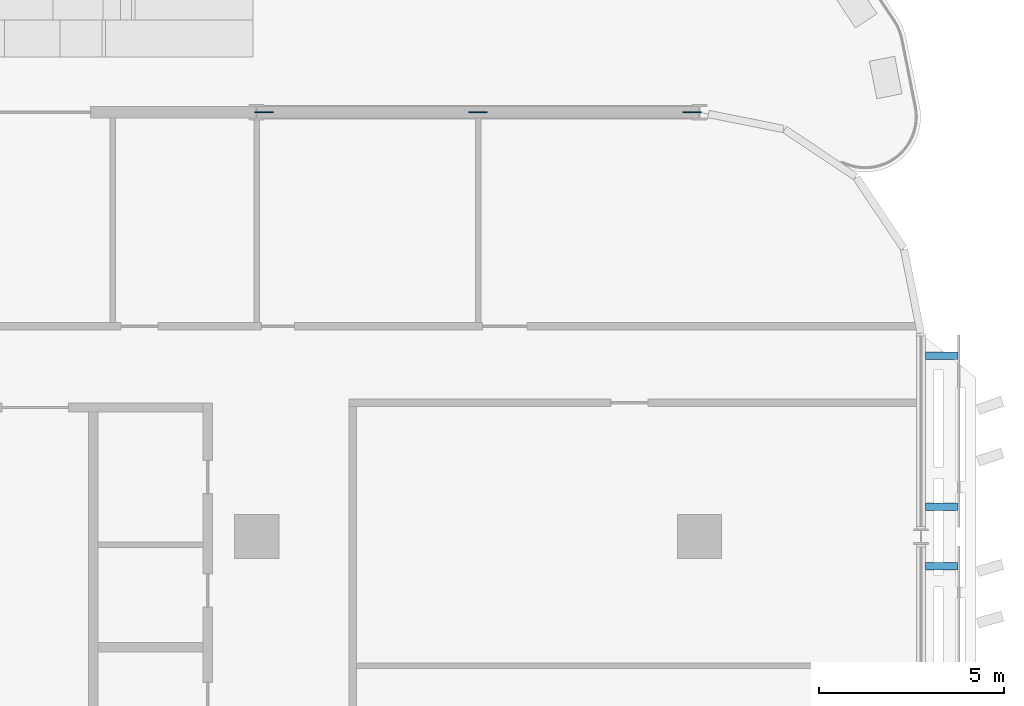
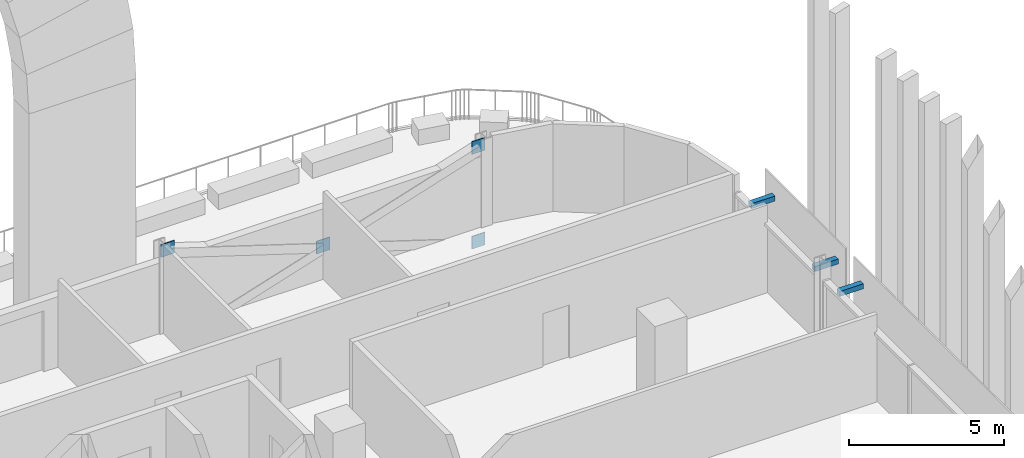
# One storey, part 21 of 30: 7 discrete accessories.
"""IFC4 building model written with IfcOpenShell, lengths in metres."""

from ifc_helpers import new_model, si_unit, direction, frame, origin, origin_2d, place, context, subcontext, project, spatial, rectangle, extrude, material, layer, layer_set, type_object, element, save


model = new_model("IFC4")

# Units and contexts
model_context = context("Model", 3, precision=1e-05, world=origin(), true_north=direction((0.0, 1.0)))
body_context = subcontext(model_context, "Body", "Model", "MODEL_VIEW")
ifc_project = project(units=[si_unit("LENGTHUNIT", "METRE"), si_unit("AREAUNIT", "SQUARE_METRE"), si_unit("VOLUMEUNIT", "CUBIC_METRE"), si_unit("PLANEANGLEUNIT", "RADIAN"), si_unit("MASSUNIT", "GRAM", prefix="KILO")], contexts=[model_context])

# Site, building, storey
site_placement = place(None, origin())
site = spatial("IfcSite", under=ifc_project, at=site_placement, CompositionType="ELEMENT")
building_placement = place(site_placement, origin())
building = spatial("IfcBuilding", under=site, at=building_placement, Name="Mahtab Terrace Research Tower", CompositionType="ELEMENT")
storey_placement = place(building_placement, frame((0.0, 0.0, 159.199951171875)))
storey = spatial("IfcBuildingStorey", under=building, at=storey_placement, Name="L37", CompositionType="ELEMENT", Elevation=159.199951171875)

# Discrete accessories
ifc_material_1 = material(Name="Black anodised aluminium", Category="aluminium")
discrete_accessory_type_1 = type_object("IfcDiscreteAccessoryType", Name="Facade bracket", PredefinedType="BRACKET", material=ifc_material_1)
for number, where, z_axis, x_axis, name in (
    (1, (48.5625, 10.69189453125, 2.48193359375), (0.0, 0.0, 1.0), (0.0, 1.0, 0.0), "Screen bracket Girih screen L37 E37"),
    (2, (48.5625, 12.30810546875, 2.48193359375), (0.0, 0.0, 1.0), (0.0, 1.0, 0.0), "Screen bracket Girih screen L37 E38"),
    (3, (48.5625, 16.39990234375, 2.48193359375), (0.0, 0.0, 1.0), (0.0, 1.0, 0.0), "Screen bracket Girih screen L37 E38"),
):
    element("IfcDiscreteAccessory", number, at=place(storey_placement, frame(where, z_axis=z_axis, x_axis=x_axis)), inside=storey, type_object=discrete_accessory_type_1, Name=name, PredefinedType="BRACKET", context=body_context, shape_type="SweptSolid", body=[
        extrude(rectangle(XDim=0.199951171875, YDim=0.875, at=origin_2d()), origin(), (0.0, 0.0, 1.0), 0.199951171875),
    ])
ifc_material_2 = material(Name="Steel ASTM A992 Gr 50", Category="steel")
ifc_layer = layer(ifc_material_2, 0.030029296875)
ifc_layer_set = layer_set([ifc_layer], Name="Gusset plate 500x500x30")
discrete_accessory_type_2 = type_object("IfcDiscreteAccessoryType", Name="Gusset plate 500x500x30", PredefinedType="USERDEFINED", material=ifc_layer_set)
for number, where, z_axis, x_axis, name in (
    (4, (30.203125, 23.0, 2.870849609375), (0.0, 0.0, 1.0), (1.0, 0.0, 0.0), "Gusset plate"),
    (5, (36.0, 23.0, 0.970947265625), (0.0, 0.0, 1.0), (1.0, 0.0, 0.0), "Gusset plate"),
    (6, (41.796875, 23.0, -0.86474609375), (0.0, 0.0, 1.0), (1.0, 0.0, 0.0), "Gusset plate"),
    (7, (41.796875, 23.0, 2.870849609375), (0.0, 0.0, 1.0), (1.0, 0.0, 0.0), "Gusset plate"),
):
    element("IfcDiscreteAccessory", number, at=place(storey_placement, frame(where, z_axis=z_axis, x_axis=x_axis)), inside=storey, type_object=discrete_accessory_type_2, Name=name, ObjectType="GUSSET PLATE", PredefinedType="USERDEFINED", context=body_context, shape_type="SweptSolid", body=[
        extrude(rectangle(XDim=0.5, YDim=0.030029296875, at=origin_2d()), origin(), (0.0, 0.0, 1.0), 0.5),
    ])

save(model, "model.ifc")
